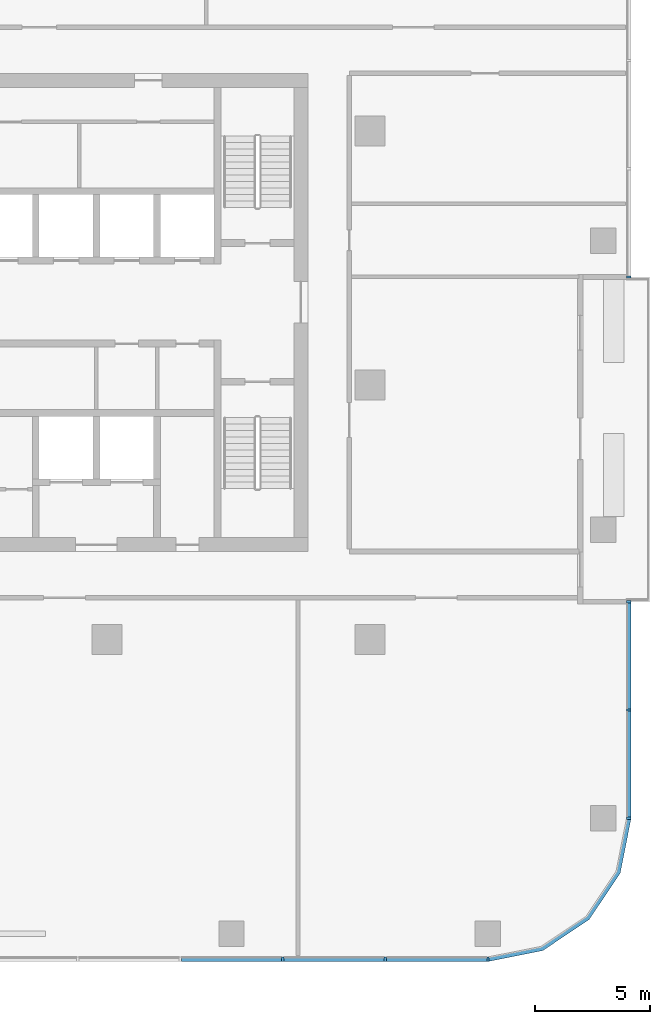
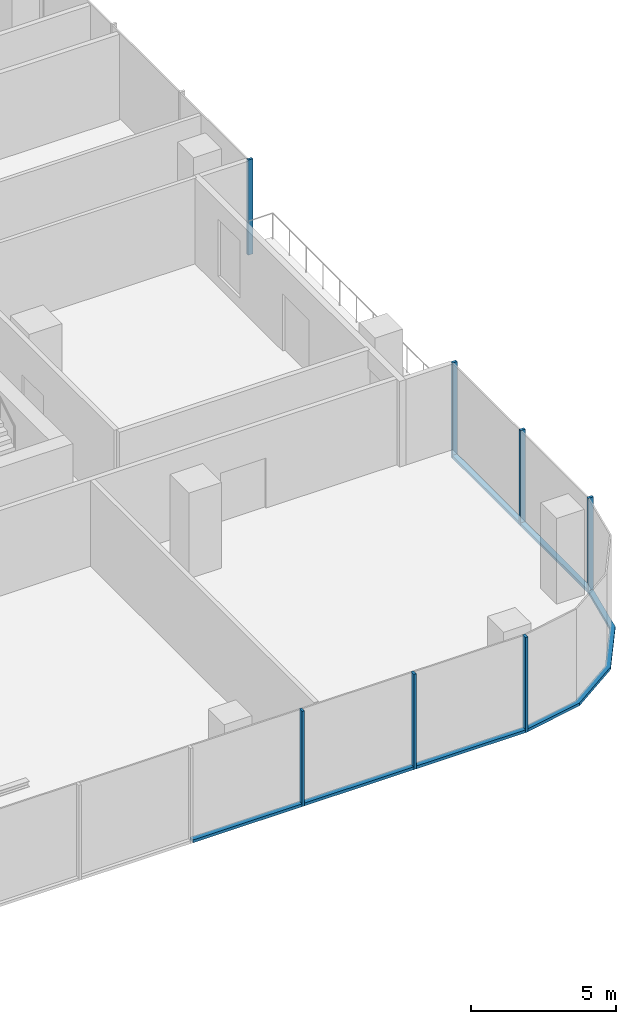
# One storey, part 3 of 14: 13 members, 4 elements without a shape of their own.
"""IFC4 building model written with IfcOpenShell, lengths in metres."""

from ifc_helpers import new_model, si_unit, direction, frame, origin, origin_2d, place, context, subcontext, project, spatial, polyline, rectangle, outline, extrude, material, material_profile, profile_set, type_object, element, aggregate, save


model = new_model("IFC4")

# Units and contexts
model_context = context("Model", 3, precision=1e-05, world=origin(), true_north=direction((0.0, 1.0)))
body_context = subcontext(model_context, "Body", "Model", "MODEL_VIEW")
ifc_project = project(units=[si_unit("LENGTHUNIT", "METRE"), si_unit("AREAUNIT", "SQUARE_METRE"), si_unit("VOLUMEUNIT", "CUBIC_METRE"), si_unit("PLANEANGLEUNIT", "RADIAN"), si_unit("MASSUNIT", "GRAM", prefix="KILO")], contexts=[model_context])

# Site, building, storey
site_placement = place(None, origin())
site = spatial("IfcSite", under=ifc_project, at=site_placement, CompositionType="ELEMENT")
building_placement = place(site_placement, origin())
building = spatial("IfcBuilding", under=site, at=building_placement, Name="Mopane Tessera Tower", CompositionType="ELEMENT")
storey_placement = place(building_placement, frame((0.0, 0.0, 231.0)))
storey = spatial("IfcBuildingStorey", under=building, at=storey_placement, Name="L49", CompositionType="ELEMENT", Elevation=231.0)

# Curtain wall, members
ifc_material_1 = material(Name="Aluminium frame", Category="aluminium")
curtain_wall_type = type_object("IfcCurtainWallType", Name="Unitised curtain wall", PredefinedType="NOTDEFINED", material=ifc_material_1)
curtain_wall_1_placement = place(storey_placement, origin())
curtain_wall_1 = element("IfcCurtainWall", 1, at=curtain_wall_1_placement, inside=storey, type_object=curtain_wall_type, Name="e:cw:L49:S:4", PredefinedType="NOTDEFINED")
ifc_material_2 = material(Name="Aluminium frame", Category="aluminium")
ifc_material_profile_1 = material_profile(ifc_material_2, rectangle(XDim=0.10009765625, YDim=0.199951171875, at=origin_2d()))
ifc_profile_set_1 = profile_set([ifc_material_profile_1], Name="Aluminium frame")
member_type_1 = type_object("IfcMemberType", Name="Aluminium mullion 100 x 200", PredefinedType="MULLION", material=ifc_profile_set_1)
member_1_placement = place(storey_placement, frame((13.320068359375, -24.85009765625, -0.39990234375), z_axis=(0.0, 0.0, 1.0), x_axis=(1.0, 0.0, 0.0)))
member_1 = element("IfcMember", 2, at=member_1_placement, type_object=member_type_1, Name="e:cw:L49:S:4:mu8", PredefinedType="MULLION", context=body_context, shape_type="SweptSolid", body=[
    extrude(rectangle(XDim=0.10009765625, YDim=0.199951171875, at=origin_2d()), origin(), (0.0, 0.0, 1.0), 4.0),
])
member_2_placement = place(storey_placement, frame((17.760009765625, -24.85009765625, -0.39990234375), z_axis=(0.0, 0.0, 1.0), x_axis=(1.0, 0.0, 0.0)))
member_2 = element("IfcMember", 3, at=member_2_placement, type_object=member_type_1, Name="e:cw:L49:S:4:mu9", PredefinedType="MULLION", context=body_context, shape_type="SweptSolid", body=[
    extrude(rectangle(XDim=0.10009765625, YDim=0.199951171875, at=origin_2d()), origin(), (0.0, 0.0, 1.0), 4.0),
])
member_3_placement = place(storey_placement, frame((22.199951171875, -24.85009765625, -0.39990234375), z_axis=(0.0, 0.0, 1.0), x_axis=(1.0, 0.0, 0.0)))
member_3 = element("IfcMember", 4, at=member_3_placement, type_object=member_type_1, Name="e:cw:L49:S:4:mu10", PredefinedType="MULLION", context=body_context, shape_type="SweptSolid", body=[
    extrude(rectangle(XDim=0.10009765625, YDim=0.199951171875, at=origin_2d()), origin(), (0.0, 0.0, 1.0), 4.0),
])

curtain_wall_2_placement = place(storey_placement, origin())
curtain_wall_2 = element("IfcCurtainWall", 5, at=curtain_wall_2_placement, inside=storey, type_object=curtain_wall_type, Name="e:cw:L49:E:0", PredefinedType="NOTDEFINED")
member_4_placement = place(storey_placement, frame((28.300048828125, -18.75, -0.39990234375), z_axis=(0.0, 0.0, 1.0), x_axis=(0.0, 1.0, 0.0)))
member_4 = element("IfcMember", 6, at=member_4_placement, type_object=member_type_1, Name="e:cw:L49:E:0:mu0", PredefinedType="MULLION", context=body_context, shape_type="SweptSolid", body=[
    extrude(rectangle(XDim=0.10009765625, YDim=0.199951171875, at=origin_2d()), origin(), (0.0, 0.0, 1.0), 4.0),
])
member_5_placement = place(storey_placement, frame((28.300048828125, -14.0625, -0.39990234375), z_axis=(0.0, 0.0, 1.0), x_axis=(0.0, 1.0, 0.0)))
member_5 = element("IfcMember", 7, at=member_5_placement, type_object=member_type_1, Name="e:cw:L49:E:0:mu1", PredefinedType="MULLION", context=body_context, shape_type="SweptSolid", body=[
    extrude(rectangle(XDim=0.10009765625, YDim=0.199951171875, at=origin_2d()), origin(), (0.0, 0.0, 1.0), 4.0),
])
member_6_placement = place(storey_placement, frame((28.300048828125, -9.375, -0.39990234375), z_axis=(0.0, 0.0, 1.0), x_axis=(0.0, 1.0, 0.0)))
member_6 = element("IfcMember", 8, at=member_6_placement, type_object=member_type_1, Name="e:cw:L49:E:0:mu2", PredefinedType="MULLION", context=body_context, shape_type="SweptSolid", body=[
    extrude(rectangle(XDim=0.10009765625, YDim=0.199951171875, at=origin_2d()), origin(), (0.0, 0.0, 1.0), 4.0),
])

# Curtain wall, member
curtain_wall_3_placement = place(storey_placement, origin())
curtain_wall_3 = element("IfcCurtainWall", 9, at=curtain_wall_3_placement, inside=storey, type_object=curtain_wall_type, Name="e:cw:L49:E:5", PredefinedType="NOTDEFINED")
member_7_placement = place(storey_placement, frame((28.300048828125, 4.6875, -0.39990234375), z_axis=(0.0, 0.0, 1.0), x_axis=(0.0, 1.0, 0.0)))
member_7 = element("IfcMember", 10, at=member_7_placement, type_object=member_type_1, Name="e:cw:L49:E:5:mu5", PredefinedType="MULLION", context=body_context, shape_type="SweptSolid", body=[
    extrude(rectangle(XDim=0.10009765625, YDim=0.199951171875, at=origin_2d()), origin(), (0.0, 0.0, 1.0), 4.0),
])
aggregate(curtain_wall_3, [member_7])

# Member
ifc_material_3 = material(Name="Aluminium frame", Category="aluminium")
ifc_material_profile_2 = material_profile(ifc_material_3, rectangle(XDim=0.199951171875, YDim=0.1201171875, at=origin_2d()))
ifc_profile_set_2 = profile_set([ifc_material_profile_2], Name="Aluminium frame")
member_type_2 = type_object("IfcMemberType", Name="Aluminium transom 200 x 120", PredefinedType="USERDEFINED", material=ifc_profile_set_2)
member_8_placement = place(storey_placement, frame((8.929931640625, -24.85009765625, -0.340087890625), z_axis=(1.0, 0.0, 0.0), x_axis=(0.0, 1.0, 0.0)))
member_8 = element("IfcMember", 11, at=member_8_placement, type_object=member_type_2, Name="e:cw:L49:S:4:tr7", ObjectType="TRANSOM", PredefinedType="USERDEFINED", context=body_context, shape_type="SweptSolid", body=[
    extrude(rectangle(XDim=0.199951171875, YDim=0.1201171875, at=origin_2d()), origin(), (0.0, 0.0, 1.0), 4.340087890625),
])

member_9_placement = place(storey_placement, frame((13.3701171875, -24.85009765625, -0.340087890625), z_axis=(1.0, 0.0, 0.0), x_axis=(0.0, 1.0, 0.0)))
member_9 = element("IfcMember", 12, at=member_9_placement, type_object=member_type_2, Name="e:cw:L49:S:4:tr8", ObjectType="TRANSOM", PredefinedType="USERDEFINED", context=body_context, shape_type="SweptSolid", body=[
    extrude(rectangle(XDim=0.199951171875, YDim=0.1201171875, at=origin_2d()), origin(), (0.0, 0.0, 1.0), 4.33984375),
])

member_10_placement = place(storey_placement, frame((17.81005859375, -24.85009765625, -0.340087890625), z_axis=(1.0, 0.0, 0.0), x_axis=(0.0, 1.0, 0.0)))
member_10 = element("IfcMember", 13, at=member_10_placement, type_object=member_type_2, Name="e:cw:L49:S:4:tr9", ObjectType="TRANSOM", PredefinedType="USERDEFINED", context=body_context, shape_type="SweptSolid", body=[
    extrude(rectangle(XDim=0.199951171875, YDim=0.1201171875, at=origin_2d()), origin(), (0.0, 0.0, 1.0), 4.33984375),
])

aggregate(curtain_wall_1, [member_1, member_2, member_3, member_8, member_9, member_10])

# Curtain wall, member
curtain_wall_4_placement = place(storey_placement, origin())
curtain_wall_4 = element("IfcCurtainWall", 14, at=curtain_wall_4_placement, inside=storey, type_object=curtain_wall_type, Name="e:cw:L49:CS", PredefinedType="NOTDEFINED")
member_11_placement = place(storey_placement, frame((0.0, 0.0, -0.39990234375)))
member_11 = element("IfcMember", 15, at=member_11_placement, type_object=member_type_2, Name="e:cw:L49:CS:tr", ObjectType="TRANSOM", PredefinedType="USERDEFINED", context=body_context, shape_type="SweptSolid", body=[
    extrude(outline(polyline([(22.199951171875, -24.75), (24.49609375, -24.293212890625), (26.442626953125, -22.99267578125), (27.7431640625, -21.046142578125), (28.199951171875, -18.75), (28.39990234375, -18.75), (27.927978515625, -21.12255859375), (26.583984375, -23.134033203125), (24.57275390625, -24.47802734375), (22.199951171875, -24.949951171875), (22.199951171875, -24.75)])), origin(), (0.0, 0.0, 1.0), 0.119873046875),
])
aggregate(curtain_wall_4, [member_11])

# Member
member_12_placement = place(storey_placement, frame((28.300048828125, -18.699951171875, -0.340087890625), z_axis=(0.0, 1.0, 0.0), x_axis=(-1.0, 0.0, 0.0)))
member_12 = element("IfcMember", 16, at=member_12_placement, type_object=member_type_2, Name="e:cw:L49:E:0:tr0", ObjectType="TRANSOM", PredefinedType="USERDEFINED", context=body_context, shape_type="SweptSolid", body=[
    extrude(rectangle(XDim=0.199951171875, YDim=0.1201171875, at=origin_2d()), origin(), (0.0, 0.0, 1.0), 4.58740234375),
])

member_13_placement = place(storey_placement, frame((28.300048828125, -14.012451171875, -0.340087890625), z_axis=(0.0, 1.0, 0.0), x_axis=(-1.0, 0.0, 0.0)))
member_13 = element("IfcMember", 17, at=member_13_placement, type_object=member_type_2, Name="e:cw:L49:E:0:tr1", ObjectType="TRANSOM", PredefinedType="USERDEFINED", context=body_context, shape_type="SweptSolid", body=[
    extrude(rectangle(XDim=0.199951171875, YDim=0.1201171875, at=origin_2d()), origin(), (0.0, 0.0, 1.0), 4.58740234375),
])

aggregate(curtain_wall_2, [member_4, member_5, member_6, member_12, member_13])

save(model, "model.ifc")
